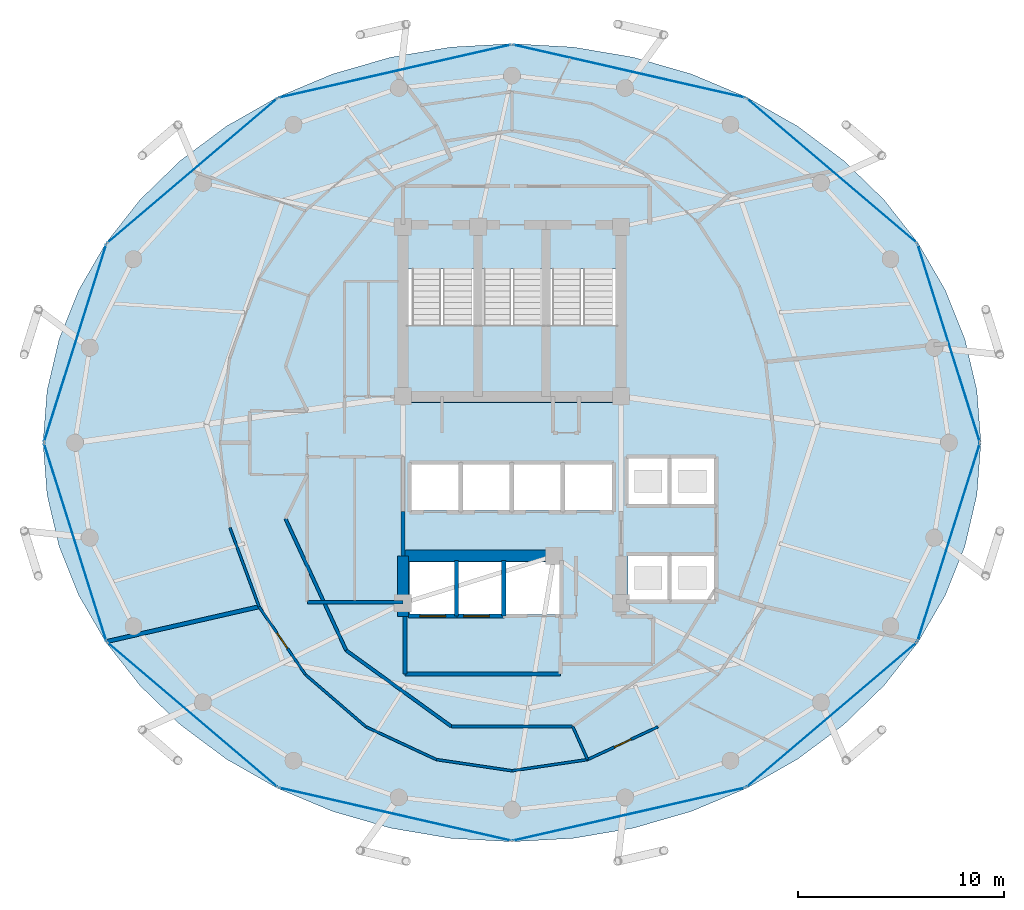
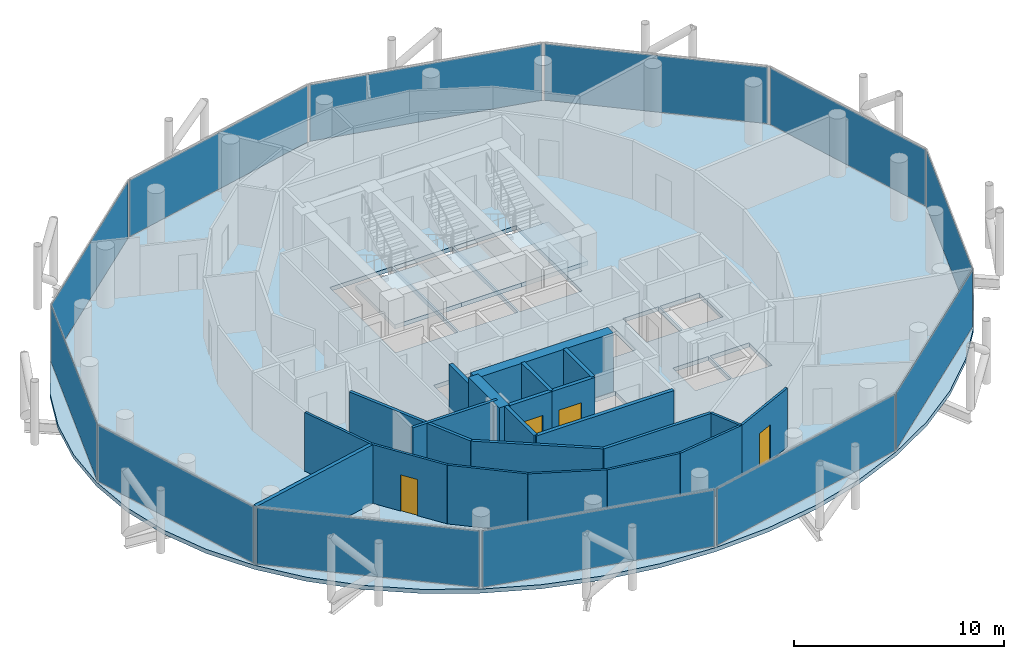
# One storey, part 22 of 27: 22 walls, 12 plates, 4 doors, 4 slabs, 4 openings, 15 elements without a shape of their own.
"""IFC4 building model written with IfcOpenShell, lengths in metres."""

from ifc_helpers import new_model, si_unit, direction, frame, frame_2d, origin, origin_2d, place, context, subcontext, project, spatial, polyline, rectangle, outline, extrude, material, layer, layer_set, type_object, element, fill, aggregate, save


model = new_model("IFC4")

# Units and contexts
model_context = context("Model", 3, precision=1e-05, world=origin(), true_north=direction((0.0, 1.0)))
body_context = subcontext(model_context, "Body", "Model", "MODEL_VIEW")
ifc_project = project(units=[si_unit("LENGTHUNIT", "METRE"), si_unit("AREAUNIT", "SQUARE_METRE"), si_unit("VOLUMEUNIT", "CUBIC_METRE"), si_unit("PLANEANGLEUNIT", "RADIAN"), si_unit("MASSUNIT", "GRAM", prefix="KILO")], contexts=[model_context])

# Site, building, storey
site_placement = place(None, origin())
site = spatial("IfcSite", under=ifc_project, at=site_placement, CompositionType="ELEMENT")
building_placement = place(site_placement, origin())
building = spatial("IfcBuilding", under=site, at=building_placement, Name="Nuhasar Tower", CompositionType="ELEMENT")
storey_placement = place(building_placement, frame((0.0, 0.0, 208.14990234375)))
storey = spatial("IfcBuildingStorey", under=building, at=storey_placement, Name="L50", CompositionType="ELEMENT", Elevation=208.14990234375)

# Curtain wall, plate
ifc_material_1 = material(Name="Aluminium 6063-T6", Category="aluminium")
ifc_layer_1 = layer(ifc_material_1, 0.18994140625)
ifc_layer_set_1 = layer_set([ifc_layer_1], Name="Aluminium 6063-T6")
curtain_wall_type = type_object("IfcCurtainWallType", Name="CW-Z3-RES", PredefinedType="NOTDEFINED", material=ifc_layer_set_1)
curtain_wall_1_placement = place(storey_placement, origin())
curtain_wall_1 = element("IfcCurtainWall", 1, at=curtain_wall_1_placement, inside=storey, type_object=curtain_wall_type, Name="L50 Unitised Curtain Wall 01", PredefinedType="NOTDEFINED")
ifc_material_2 = material(Name="Glass Double Low-E", Category="glass")
ifc_layer_2 = layer(ifc_material_2, 0.028076171875)
ifc_layer_set_2 = layer_set([ifc_layer_2], Name="Glass Double Low-E")
plate_type = type_object("IfcPlateType", Name="CW-PANEL-GLZ", PredefinedType="CURTAIN_PANEL", material=ifc_layer_set_2)
plate_1_placement = place(storey_placement, frame((60.235595703125, 31.639892578125, 0.06494140625), z_axis=(0.0, 0.0, 1.0), x_axis=(-0.30042864553, 0.95380429279, 0.0)))
plate_1 = element("IfcPlate", 2, at=plate_1_placement, type_object=plate_type, Name="CW-Z3 panel 1.1", PredefinedType="CURTAIN_PANEL", context=body_context, shape_type="SweptSolid", body=[
    extrude(rectangle(XDim=10.018798828125, YDim=0.028076171875, at=origin_2d()), origin(), (0.0, 0.0, 1.0), 3.280029296875),
])
aggregate(curtain_wall_1, [plate_1])

curtain_wall_2_placement = place(storey_placement, origin())
curtain_wall_2 = element("IfcCurtainWall", 3, at=curtain_wall_2_placement, inside=storey, type_object=curtain_wall_type, Name="L50 Unitised Curtain Wall 02", PredefinedType="NOTDEFINED")
plate_2_placement = place(storey_placement, frame((54.54541015625, 40.02294921875, 0.06494140625), z_axis=(0.0, 0.0, 1.0), x_axis=(-0.761729472562, 0.64789521578, 0.0)))
plate_2 = element("IfcPlate", 4, at=plate_2_placement, type_object=plate_type, Name="CW-Z3 panel 1.1", PredefinedType="CURTAIN_PANEL", context=body_context, shape_type="SweptSolid", body=[
    extrude(rectangle(XDim=10.806884765625, YDim=0.028076171875, at=origin_2d()), origin(), (0.0, 0.0, 1.0), 3.280029296875),
])
aggregate(curtain_wall_2, [plate_2])

curtain_wall_3_placement = place(storey_placement, origin())
curtain_wall_3 = element("IfcCurtainWall", 5, at=curtain_wall_3_placement, inside=storey, type_object=curtain_wall_type, Name="L50 Unitised Curtain Wall 03", PredefinedType="NOTDEFINED")
plate_3_placement = place(storey_placement, frame((44.68994140625, 44.863037109375, 0.06494140625), z_axis=(0.0, 0.0, 1.0), x_axis=(-0.974991266926, 0.222243176313, 0.0)))
plate_3 = element("IfcPlate", 6, at=plate_3_placement, type_object=plate_type, Name="CW-Z3 panel 1.1", PredefinedType="CURTAIN_PANEL", context=body_context, shape_type="SweptSolid", body=[
    extrude(rectangle(XDim=11.5419921875, YDim=0.028076171875, at=origin_2d()), origin(), (0.0, 0.0, 1.0), 3.280029296875),
])
aggregate(curtain_wall_3, [plate_3])

curtain_wall_4_placement = place(storey_placement, origin())
curtain_wall_4 = element("IfcCurtainWall", 7, at=curtain_wall_4_placement, inside=storey, type_object=curtain_wall_type, Name="L50 Unitised Curtain Wall 04", PredefinedType="NOTDEFINED")
plate_4_placement = place(storey_placement, frame((33.31005859375, 44.863037109375, 0.06494140625), z_axis=(0.0, 0.0, 1.0), x_axis=(-0.974991266926, -0.222243176313, 0.0)))
plate_4 = element("IfcPlate", 8, at=plate_4_placement, type_object=plate_type, Name="CW-Z3 panel 1.1", PredefinedType="CURTAIN_PANEL", context=body_context, shape_type="SweptSolid", body=[
    extrude(rectangle(XDim=11.5419921875, YDim=0.028076171875, at=origin_2d()), origin(), (0.0, 0.0, 1.0), 3.280029296875),
])
aggregate(curtain_wall_4, [plate_4])

curtain_wall_5_placement = place(storey_placement, origin())
curtain_wall_5 = element("IfcCurtainWall", 9, at=curtain_wall_5_placement, inside=storey, type_object=curtain_wall_type, Name="L50 Unitised Curtain Wall 05", PredefinedType="NOTDEFINED")
plate_5_placement = place(storey_placement, frame((23.45458984375, 40.02294921875, 0.06494140625), z_axis=(0.0, 0.0, 1.0), x_axis=(-0.761729472562, -0.64789521578, 0.0)))
plate_5 = element("IfcPlate", 10, at=plate_5_placement, type_object=plate_type, Name="CW-Z3 panel 1.1", PredefinedType="CURTAIN_PANEL", context=body_context, shape_type="SweptSolid", body=[
    extrude(rectangle(XDim=10.806884765625, YDim=0.028076171875, at=origin_2d()), origin(), (0.0, 0.0, 1.0), 3.280029296875),
])
aggregate(curtain_wall_5, [plate_5])

curtain_wall_6_placement = place(storey_placement, origin())
curtain_wall_6 = element("IfcCurtainWall", 11, at=curtain_wall_6_placement, inside=storey, type_object=curtain_wall_type, Name="L50 Unitised Curtain Wall 06", PredefinedType="NOTDEFINED")
plate_6_placement = place(storey_placement, frame((17.764404296875, 31.639892578125, 0.06494140625), z_axis=(0.0, 0.0, 1.0), x_axis=(-0.30042864553, -0.95380429279, 0.0)))
plate_6 = element("IfcPlate", 12, at=plate_6_placement, type_object=plate_type, Name="CW-Z3 panel 1.1", PredefinedType="CURTAIN_PANEL", context=body_context, shape_type="SweptSolid", body=[
    extrude(rectangle(XDim=10.018798828125, YDim=0.028076171875, at=origin_2d()), origin(), (0.0, 0.0, 1.0), 3.280029296875),
])
aggregate(curtain_wall_6, [plate_6])

curtain_wall_7_placement = place(storey_placement, origin())
curtain_wall_7 = element("IfcCurtainWall", 13, at=curtain_wall_7_placement, inside=storey, type_object=curtain_wall_type, Name="L50 Unitised Curtain Wall 07", PredefinedType="NOTDEFINED")
plate_7_placement = place(storey_placement, frame((17.764404296875, 21.9599609375, 0.06494140625), z_axis=(0.0, 0.0, 1.0), x_axis=(0.30042864553, -0.95380429279, 0.0)))
plate_7 = element("IfcPlate", 14, at=plate_7_placement, type_object=plate_type, Name="CW-Z3 panel 1.1", PredefinedType="CURTAIN_PANEL", context=body_context, shape_type="SweptSolid", body=[
    extrude(rectangle(XDim=10.018798828125, YDim=0.028076171875, at=origin_2d()), origin(), (0.0, 0.0, 1.0), 3.280029296875),
])
aggregate(curtain_wall_7, [plate_7])

curtain_wall_8_placement = place(storey_placement, origin())
curtain_wall_8 = element("IfcCurtainWall", 15, at=curtain_wall_8_placement, inside=storey, type_object=curtain_wall_type, Name="L50 Unitised Curtain Wall 08", PredefinedType="NOTDEFINED")
plate_8_placement = place(storey_placement, frame((23.45458984375, 13.576904296875, 0.06494140625), z_axis=(0.0, 0.0, 1.0), x_axis=(0.761729472562, -0.64789521578, 0.0)))
plate_8 = element("IfcPlate", 16, at=plate_8_placement, type_object=plate_type, Name="CW-Z3 panel 1.1", PredefinedType="CURTAIN_PANEL", context=body_context, shape_type="SweptSolid", body=[
    extrude(rectangle(XDim=10.806884765625, YDim=0.028076171875, at=origin_2d()), origin(), (0.0, 0.0, 1.0), 3.280029296875),
])
aggregate(curtain_wall_8, [plate_8])

curtain_wall_9_placement = place(storey_placement, origin())
curtain_wall_9 = element("IfcCurtainWall", 17, at=curtain_wall_9_placement, inside=storey, type_object=curtain_wall_type, Name="L50 Unitised Curtain Wall 09", PredefinedType="NOTDEFINED")
plate_9_placement = place(storey_placement, frame((33.31005859375, 8.737060546875, 0.06494140625), z_axis=(0.0, 0.0, 1.0), x_axis=(0.974991266926, -0.222243176313, 0.0)))
plate_9 = element("IfcPlate", 18, at=plate_9_placement, type_object=plate_type, Name="CW-Z3 panel 1.1", PredefinedType="CURTAIN_PANEL", context=body_context, shape_type="SweptSolid", body=[
    extrude(rectangle(XDim=11.5419921875, YDim=0.028076171875, at=origin_2d()), origin(), (0.0, 0.0, 1.0), 3.280029296875),
])
aggregate(curtain_wall_9, [plate_9])

curtain_wall_10_placement = place(storey_placement, origin())
curtain_wall_10 = element("IfcCurtainWall", 19, at=curtain_wall_10_placement, inside=storey, type_object=curtain_wall_type, Name="L50 Unitised Curtain Wall 10", PredefinedType="NOTDEFINED")
plate_10_placement = place(storey_placement, frame((44.68994140625, 8.737060546875, 0.06494140625), z_axis=(0.0, 0.0, 1.0), x_axis=(0.974991266926, 0.222243176313, 0.0)))
plate_10 = element("IfcPlate", 20, at=plate_10_placement, type_object=plate_type, Name="CW-Z3 panel 1.1", PredefinedType="CURTAIN_PANEL", context=body_context, shape_type="SweptSolid", body=[
    extrude(rectangle(XDim=11.5419921875, YDim=0.028076171875, at=origin_2d()), origin(), (0.0, 0.0, 1.0), 3.280029296875),
])
aggregate(curtain_wall_10, [plate_10])

curtain_wall_11_placement = place(storey_placement, origin())
curtain_wall_11 = element("IfcCurtainWall", 21, at=curtain_wall_11_placement, inside=storey, type_object=curtain_wall_type, Name="L50 Unitised Curtain Wall 11", PredefinedType="NOTDEFINED")
plate_11_placement = place(storey_placement, frame((54.54541015625, 13.576904296875, 0.06494140625), z_axis=(0.0, 0.0, 1.0), x_axis=(0.761729472562, 0.64789521578, 0.0)))
plate_11 = element("IfcPlate", 22, at=plate_11_placement, type_object=plate_type, Name="CW-Z3 panel 1.1", PredefinedType="CURTAIN_PANEL", context=body_context, shape_type="SweptSolid", body=[
    extrude(rectangle(XDim=10.806884765625, YDim=0.028076171875, at=origin_2d()), origin(), (0.0, 0.0, 1.0), 3.280029296875),
])
aggregate(curtain_wall_11, [plate_11])

curtain_wall_12_placement = place(storey_placement, origin())
curtain_wall_12 = element("IfcCurtainWall", 23, at=curtain_wall_12_placement, inside=storey, type_object=curtain_wall_type, Name="L50 Unitised Curtain Wall 12", PredefinedType="NOTDEFINED")
plate_12_placement = place(storey_placement, frame((60.235595703125, 21.9599609375, 0.06494140625), z_axis=(0.0, 0.0, 1.0), x_axis=(0.30042864553, 0.95380429279, 0.0)))
plate_12 = element("IfcPlate", 24, at=plate_12_placement, type_object=plate_type, Name="CW-Z3 panel 1.1", PredefinedType="CURTAIN_PANEL", context=body_context, shape_type="SweptSolid", body=[
    extrude(rectangle(XDim=10.018798828125, YDim=0.028076171875, at=origin_2d()), origin(), (0.0, 0.0, 1.0), 3.280029296875),
])
aggregate(curtain_wall_12, [plate_12])

# Stair, slab
ifc_material_3 = material(Name="Concrete C45/55", Category="concrete")
stair_type_1 = type_object("IfcStairType", Name="STR-ST-01-2F-22R-1659", PredefinedType="HALF_TURN_STAIR", material=ifc_material_3)
stair_1_placement = place(storey_placement, origin())
stair_1 = element("IfcStair", 25, at=stair_1_placement, inside=storey, type_object=stair_type_1, Name="L50 Exit Stair ST-01", PredefinedType="HALF_TURN_STAIR")
ifc_layer_3 = layer(ifc_material_3, 0.239990234375)
ifc_layer_set_3 = layer_set([ifc_layer_3], Name="Concrete C45/55")
slab_type_1 = type_object("IfcSlabType", Name="SLB-STAIR-LND-240", PredefinedType="LANDING", material=ifc_layer_set_3)
slab_1_placement = place(storey_placement, frame((0.0, 0.0, 1.585205078125)))
slab_1 = element("IfcSlab", 26, at=slab_1_placement, type_object=slab_type_1, Name="ST-01 landing 1", PredefinedType="LANDING", context=body_context, shape_type="SweptSolid", body=[
    extrude(outline(polyline([(33.699951171875, 28.75), (37.35009765625, 28.75), (37.35009765625, 32.52001953125), (33.699951171875, 32.52001953125), (33.699951171875, 28.75)])), origin(), (0.0, 0.0, 1.0), 0.239990234375),
])
aggregate(stair_1, [slab_1])

stair_type_2 = type_object("IfcStairType", Name="STR-ST-03-2F-22R-1659", PredefinedType="HALF_TURN_STAIR", material=ifc_material_3)
stair_2_placement = place(storey_placement, origin())
stair_2 = element("IfcStair", 27, at=stair_2_placement, inside=storey, type_object=stair_type_2, Name="L50 Exit Stair ST-03", PredefinedType="HALF_TURN_STAIR")
slab_2_placement = place(storey_placement, frame((0.0, 0.0, 1.585205078125)))
slab_2 = element("IfcSlab", 28, at=slab_2_placement, type_object=slab_type_1, Name="ST-03 landing 1", PredefinedType="LANDING", context=body_context, shape_type="SweptSolid", body=[
    extrude(outline(polyline([(37.35009765625, 28.75), (40.64990234375, 28.75), (40.64990234375, 32.52001953125), (37.35009765625, 32.52001953125), (37.35009765625, 28.75)])), origin(), (0.0, 0.0, 1.0), 0.239990234375),
])
aggregate(stair_2, [slab_2])

stair_type_3 = type_object("IfcStairType", Name="STR-ST-02-2F-22R-1659", PredefinedType="HALF_TURN_STAIR", material=ifc_material_3)
stair_3_placement = place(storey_placement, origin())
stair_3 = element("IfcStair", 29, at=stair_3_placement, inside=storey, type_object=stair_type_3, Name="L50 Exit Stair ST-02", PredefinedType="HALF_TURN_STAIR")
slab_3_placement = place(storey_placement, frame((0.0, 0.0, 1.585205078125)))
slab_3 = element("IfcSlab", 30, at=slab_3_placement, type_object=slab_type_1, Name="ST-02 landing 1", PredefinedType="LANDING", context=body_context, shape_type="SweptSolid", body=[
    extrude(outline(polyline([(40.64990234375, 28.75), (44.300048828125, 28.75), (44.300048828125, 32.52001953125), (40.64990234375, 32.52001953125), (40.64990234375, 28.75)])), origin(), (0.0, 0.0, 1.0), 0.239990234375),
])
aggregate(stair_3, [slab_3])

# Slab
ifc_layer_4 = layer(ifc_material_3, 0.239990234375)
ifc_layer_set_4 = layer_set([ifc_layer_4], Name="Concrete C45/55")
slab_type_2 = type_object("IfcSlabType", Name="SLB-Z3-240", PredefinedType="FLOOR", material=ifc_layer_set_4)
slab_4_placement = place(storey_placement, frame((0.0, 0.0, -0.239990234375)))
element("IfcSlab", 31, at=slab_4_placement, inside=storey, type_object=slab_type_2, Name="L50 Structural Slab", PredefinedType="FLOOR", context=body_context, shape_type="SweptSolid", body=[
    extrude(outline(polyline([(61.800048828125, 26.800048828125), (61.60498046875, 29.33203125), (61.02294921875, 31.821044921875), (60.06396484375, 34.22412109375), (58.7451171875, 36.5), (57.087890625, 38.610107421875), (55.1220703125, 40.51806640625), (52.8798828125, 42.19091796875), (50.39990234375, 43.60107421875), (47.72509765625, 44.722900390625), (44.90087890625, 45.5390625), (41.97607421875, 46.033935546875), (39.0, 46.199951171875), (36.02392578125, 46.033935546875), (33.09912109375, 45.5390625), (30.27490234375, 44.722900390625), (27.60009765625, 43.60107421875), (25.1201171875, 42.19091796875), (22.8779296875, 40.51806640625), (20.912109375, 38.610107421875), (19.2548828125, 36.5), (17.93603515625, 34.22412109375), (16.97705078125, 31.821044921875), (16.39501953125, 29.33203125), (16.199951171875, 26.800048828125), (16.39501953125, 24.26806640625), (16.97705078125, 21.779052734375), (17.93603515625, 19.3759765625), (19.2548828125, 17.10009765625), (20.912109375, 14.989990234375), (22.8779296875, 13.08203125), (25.1201171875, 11.408935546875), (27.60009765625, 9.9990234375), (30.27490234375, 8.876953125), (33.09912109375, 8.06103515625), (36.02392578125, 7.56591796875), (39.0, 7.39990234375), (41.97607421875, 7.56591796875), (44.90087890625, 8.06103515625), (47.72509765625, 8.876953125), (50.39990234375, 9.9990234375), (52.8798828125, 11.408935546875), (55.1220703125, 13.08203125), (57.087890625, 14.989990234375), (58.7451171875, 17.10009765625), (60.06396484375, 19.3759765625), (61.02294921875, 21.779052734375), (61.60498046875, 24.26806640625), (61.800048828125, 26.800048828125)]), holes=[polyline([(33.8798828125, 35.25), (37.300048828125, 35.25), (37.300048828125, 29.0), (33.8798828125, 29.0), (33.8798828125, 35.25)]), polyline([(37.39990234375, 35.25), (40.60009765625, 35.25), (40.60009765625, 29.0), (37.39990234375, 29.0), (37.39990234375, 35.25)]), polyline([(40.699951171875, 35.25), (44.1201171875, 35.25), (44.1201171875, 29.0), (40.699951171875, 29.0), (40.699951171875, 35.25)]), polyline([(44.64990234375, 26.050048828125), (46.60009765625, 26.050048828125), (46.60009765625, 23.800048828125), (44.64990234375, 23.800048828125), (44.64990234375, 26.050048828125)]), polyline([(46.699951171875, 26.050048828125), (48.85009765625, 26.050048828125), (48.85009765625, 23.800048828125), (46.699951171875, 23.800048828125), (46.699951171875, 26.050048828125)]), polyline([(44.64990234375, 21.300048828125), (46.60009765625, 21.300048828125), (46.60009765625, 19.14990234375), (44.64990234375, 19.14990234375), (44.64990234375, 21.300048828125)]), polyline([(46.699951171875, 21.300048828125), (48.85009765625, 21.300048828125), (48.85009765625, 19.14990234375), (46.699951171875, 19.14990234375), (46.699951171875, 21.300048828125)]), polyline([(34.10009765625, 25.75), (36.43994140625, 25.75), (36.43994140625, 23.5), (34.10009765625, 23.5), (34.10009765625, 25.75)]), polyline([(36.580078125, 25.75), (38.919921875, 25.75), (38.919921875, 23.5), (36.580078125, 23.5), (36.580078125, 25.75)]), polyline([(39.06005859375, 25.75), (41.39990234375, 25.75), (41.39990234375, 23.5), (39.06005859375, 23.5), (39.06005859375, 25.75)]), polyline([(41.5400390625, 25.75), (43.8798828125, 25.75), (43.8798828125, 23.5), (41.5400390625, 23.5), (41.5400390625, 25.75)]), polyline([(34.050048828125, 21.0), (36.25, 21.0), (36.25, 18.449951171875), (34.050048828125, 18.449951171875), (34.050048828125, 21.0)]), polyline([(36.35009765625, 21.0), (38.550048828125, 21.0), (38.550048828125, 18.449951171875), (36.35009765625, 18.449951171875), (36.35009765625, 21.0)]), polyline([(38.64990234375, 21.0), (41.320068359375, 21.0), (41.320068359375, 18.449951171875), (38.64990234375, 18.449951171875), (38.64990234375, 21.0)])]), origin(), (0.0, 0.0, 1.0), 0.239990234375),
])

# Walls
ifc_material_4 = material(Name="Concrete C55/67", Category="concrete")
ifc_layer_5 = layer(ifc_material_4, 0.550048828125)
ifc_layer_set_5 = layer_set([ifc_layer_5], Name="Concrete C55/67")
wall_type_1 = type_object("IfcWallType", Name="WL-CORE-550", PredefinedType="SHEAR", material=ifc_layer_set_5)
wall_1_placement = place(storey_placement, frame((33.699951171875, 18.35009765625, 0.0), z_axis=(0.0, 0.0, 1.0), x_axis=(0.0, 1.0, 0.0)))
element("IfcWall", 32, at=wall_1_placement, inside=storey, type_object=wall_type_1, Name="L50 Core Shear Wall CW-SW CW-550", PredefinedType="SHEAR", context=body_context, shape_type="SweptSolid", body=[
    extrude(rectangle(XDim=2.949951171875, YDim=0.550048828125, at=frame_2d((1.47509765625, 0.0))), origin(), (0.0, 0.0, 1.0), 3.41015625),
])
wall_2_placement = place(storey_placement, frame((33.699951171875, 21.300048828125, 0.0), z_axis=(0.0, 0.0, 1.0), x_axis=(1.0, 0.0, 0.0)))
element("IfcWall", 33, at=wall_2_placement, inside=storey, type_object=wall_type_1, Name="L50 Core Shear Wall CW-S1 CW-550", PredefinedType="SHEAR", context=body_context, shape_type="SweptSolid", body=[
    extrude(rectangle(XDim=7.550048828125, YDim=0.550048828125, at=frame_2d((3.77490234375, 0.0))), origin(), (0.0, 0.0, 1.0), 3.41015625),
])
ifc_material_5 = material(Name="Gypsum Board", Category="gypsum")
ifc_layer_6 = layer(ifc_material_5, 0.159912109375)
ifc_layer_set_6 = layer_set([ifc_layer_6], Name="Gypsum Board")
wall_type_2 = type_object("IfcWallType", Name="WL-CORR-160", PredefinedType="PARTITIONING", material=ifc_layer_set_6)
wall_3_placement = place(storey_placement, frame((29.050048828125, 19.050048828125, 0.0), z_axis=(0.0, 0.0, 1.0), x_axis=(1.0, 0.0, 0.0)))
element("IfcWall", 34, at=wall_3_placement, inside=storey, type_object=wall_type_2, Name="L50 Interior Partition RECL-B1-S", PredefinedType="PARTITIONING", context=body_context, shape_type="SweptSolid", body=[
    extrude(rectangle(XDim=4.64990234375, YDim=0.159912109375, at=frame_2d((2.324951171875, 0.0))), origin(), (0.0, 0.0, 1.0), 3.41015625),
])
wall_4_placement = place(storey_placement, frame((27.988037109375, 23.10400390625, 0.0), z_axis=(0.0, 0.0, 1.0), x_axis=(0.418656179426, -0.908144814128, 0.0)))
element("IfcWall", 35, at=wall_4_placement, inside=storey, type_object=wall_type_2, Name="L50 Interior Partition UWEST-CORE-S1-26", PredefinedType="PARTITIONING", context=body_context, shape_type="SweptSolid", body=[
    extrude(rectangle(XDim=7.048583984375, YDim=0.159912109375, at=frame_2d((3.5244140625, 0.0))), origin(), (0.0, 0.0, 1.0), 3.41015625),
])
wall_5_placement = place(storey_placement, frame((30.93896484375, 16.702880859375, 0.0), z_axis=(0.0, 0.0, 1.0), x_axis=(0.810290119061, -0.586028943784, 0.0)))
element("IfcWall", 36, at=wall_5_placement, inside=storey, type_object=wall_type_2, Name="L50 Interior Partition UWEST-CORE-S1-30", PredefinedType="PARTITIONING", context=body_context, shape_type="SweptSolid", body=[
    extrude(rectangle(XDim=6.306396484375, YDim=0.159912109375, at=frame_2d((3.1533203125, 0.0))), origin(), (0.0, 0.0, 1.0), 3.41015625),
])
wall_6_placement = place(storey_placement, frame((36.049072265625, 13.007080078125, 0.0), z_axis=(0.0, 0.0, 1.0), x_axis=(1.0, 0.0, 0.0)))
element("IfcWall", 37, at=wall_6_placement, inside=storey, type_object=wall_type_2, Name="L50 Interior Partition UWEST-CORE-S1-34", PredefinedType="PARTITIONING", context=body_context, shape_type="SweptSolid", body=[
    extrude(rectangle(XDim=5.90185546875, YDim=0.159912109375, at=frame_2d((2.950927734375, 0.0))), origin(), (0.0, 0.0, 1.0), 3.41015625),
])
ifc_layer_7 = layer(ifc_material_3, 0.199951171875)
ifc_layer_set_7 = layer_set([ifc_layer_7], Name="Concrete C45/55")
wall_type_3 = type_object("IfcWallType", Name="WL-LOBBY-200", PredefinedType="SOLIDWALL", material=ifc_layer_set_7)
wall_7_placement = place(storey_placement, frame((33.699951171875, 21.300048828125, 0.0), z_axis=(0.0, 0.0, 1.0), x_axis=(0.0, 1.0, 0.0)))
element("IfcWall", 38, at=wall_7_placement, inside=storey, type_object=wall_type_3, Name="L50 Interior Partition LLBH-W", PredefinedType="SOLIDWALL", context=body_context, shape_type="SweptSolid", body=[
    extrude(rectangle(XDim=2.14990234375, YDim=0.199951171875, at=frame_2d((1.074951171875, 0.0))), origin(), (0.0, 0.0, 1.0), 2.795166015625),
])
wall_8_placement = place(storey_placement, frame((33.800048828125, 15.550048828125, 0.0), z_axis=(0.0, 0.0, 1.0), x_axis=(1.0, 0.0, 0.0)))
element("IfcWall", 39, at=wall_8_placement, inside=storey, type_object=wall_type_3, Name="L50 Interior Partition FFL-S", PredefinedType="SOLIDWALL", context=body_context, shape_type="SweptSolid", body=[
    extrude(rectangle(XDim=7.550048828125, YDim=0.199951171875, at=frame_2d((3.77490234375, 0.0))), origin(), (0.0, 0.0, 1.0), 3.41015625),
])
wall_9_placement = place(storey_placement, frame((33.800048828125, 15.550048828125, 0.0), z_axis=(0.0, 0.0, 1.0), x_axis=(0.0, 1.0, 0.0)))
element("IfcWall", 40, at=wall_9_placement, inside=storey, type_object=wall_type_3, Name="L50 Interior Partition FFL-W", PredefinedType="SOLIDWALL", context=body_context, shape_type="SweptSolid", body=[
    extrude(rectangle(XDim=2.800048828125, YDim=0.199951171875, at=frame_2d((1.39990234375, 0.0))), origin(), (0.0, 0.0, 1.0), 3.41015625),
])
ifc_layer_8 = layer(ifc_material_5, 0.125)
ifc_layer_set_8 = layer_set([ifc_layer_8], Name="Gypsum Board")
wall_type_4 = type_object("IfcWallType", Name="WL-PART-125", PredefinedType="PARTITIONING", material=ifc_layer_set_8)
wall_10_placement = place(storey_placement, frame((25.283935546875, 22.672119140625, 0.0), z_axis=(0.0, 0.0, 1.0), x_axis=(0.345832286314, -0.938296344308, 0.0)))
element("IfcWall", 41, at=wall_10_placement, inside=storey, type_object=wall_type_4, Name="L50 Interior Partition USM-1-D-26", PredefinedType="PARTITIONING", context=body_context, shape_type="SweptSolid", body=[
    extrude(rectangle(XDim=4.10009765625, YDim=0.125, at=frame_2d((2.050048828125, 0.0))), origin(), (0.0, 0.0, 1.0), 3.41015625),
])

# Wall, opening, door
wall_11_placement = place(storey_placement, frame((46.10009765625, 12.987060546875, 0.0), z_axis=(0.0, 0.0, 1.0), x_axis=(-0.906625113427, -0.421937085007, 0.0)))
wall_11 = element("IfcWall", 42, at=wall_11_placement, inside=storey, type_object=wall_type_4, Name="L50 Interior Partition USM-2-K-38", PredefinedType="PARTITIONING", context=body_context, shape_type="SweptSolid", body=[
    extrude(rectangle(XDim=3.77783203125, YDim=0.125, at=frame_2d((1.888916015625, 0.0))), origin(), (0.0, 0.0, 1.0), 3.41015625),
])
opening_1_placement = place(wall_11_placement, frame((1.43896484375, 0.0, 0.0)))
opening_1 = element("IfcOpeningElement", 43, at=opening_1_placement, cuts=wall_11, Name="Opening DR-01", PredefinedType="OPENING", context=body_context, shape_type="SweptSolid", body=[
    extrude(rectangle(XDim=0.89990234375, YDim=2.10009765625, at=frame_2d((0.449951171875, 1.050048828125))), frame((0.0, 0.072509765625, 0.0), z_axis=(0.0, -1.0, 0.0), x_axis=(1.0, 0.0, 0.0)), (0.0, 0.0, 1.0), 0.14501953125),
])
ifc_material_6 = material(Name="Timber Oak", Category="wood")
door_type_1 = type_object("IfcDoorType", Name="DR-ROOM-900", OperationType="NOTDEFINED", PredefinedType="DOOR", material=ifc_material_6)
door_1_placement = place(opening_1_placement, origin())
door_1 = element("IfcDoor", 44, at=door_1_placement, inside=storey, type_object=door_type_1, Name="L50 South-West Sky Home Kitchen Door", OperationType="SINGLE_SWING_LEFT", OverallHeight=2.10009765625, OverallWidth=0.89990234375, PredefinedType="DOOR", context=body_context, shape_type="SweptSolid", body=[
    extrude(rectangle(XDim=0.89990234375, YDim=2.10009765625, at=frame_2d((0.449951171875, 1.050048828125))), frame((0.0, 0.02490234375, 0.0), z_axis=(0.0, -1.0, 0.0), x_axis=(1.0, 0.0, 0.0)), (0.0, 0.0, 1.0), 0.050048828125),
])
fill(opening_1, door_1)

# Wall
wall_12_placement = place(storey_placement, frame((41.950927734375, 13.007080078125, 0.0), z_axis=(0.0, 0.0, 1.0), x_axis=(0.409337233456, -0.912383159263, 0.0)))
element("IfcWall", 45, at=wall_12_placement, inside=storey, type_object=wall_type_4, Name="L50 Interior Partition USI-2-DK", PredefinedType="PARTITIONING", context=body_context, shape_type="SweptSolid", body=[
    extrude(rectangle(XDim=1.76904296875, YDim=0.125, at=frame_2d((0.884521484375, 0.0))), origin(), (0.0, 0.0, 1.0), 3.41015625),
])

# Wall, opening, door
wall_13_placement = place(storey_placement, frame((28.958984375, 15.52197265625, 0.0), z_axis=(0.0, 0.0, 1.0), x_axis=(-0.56419813198, 0.825639429697, 0.0)))
wall_13 = element("IfcWall", 46, at=wall_13_placement, inside=storey, type_object=wall_type_4, Name="L50 Interior Partition USM-2-D-28", PredefinedType="PARTITIONING", context=body_context, shape_type="SweptSolid", body=[
    extrude(rectangle(XDim=4.00048828125, YDim=0.125, at=frame_2d((2.000244140625, 0.0))), origin(), (0.0, 0.0, 1.0), 3.41015625),
])
opening_2_placement = place(wall_13_placement, frame((1.550048828125, 0.0, 0.0)))
opening_2 = element("IfcOpeningElement", 47, at=opening_2_placement, cuts=wall_13, Name="Opening DR-01", PredefinedType="OPENING", context=body_context, shape_type="SweptSolid", body=[
    extrude(rectangle(XDim=0.89990234375, YDim=2.10009765625, at=frame_2d((0.449951171875, 1.050048828125))), frame((0.0, 0.072509765625, 0.0), z_axis=(0.0, -1.0, 0.0), x_axis=(1.0, 0.0, 0.0)), (0.0, 0.0, 1.0), 0.14501953125),
])
door_2_placement = place(opening_2_placement, origin())
door_2 = element("IfcDoor", 48, at=door_2_placement, inside=storey, type_object=door_type_1, Name="L50 South-West Sky Home Living Door", OperationType="SINGLE_SWING_RIGHT", OverallHeight=2.10009765625, OverallWidth=0.89990234375, PredefinedType="DOOR", context=body_context, shape_type="SweptSolid", body=[
    extrude(rectangle(XDim=0.89990234375, YDim=2.10009765625, at=frame_2d((0.449951171875, 1.050048828125))), frame((0.0, 0.02490234375, 0.0), z_axis=(0.0, -1.0, 0.0), x_axis=(1.0, 0.0, 0.0)), (0.0, 0.0, 1.0), 0.050048828125),
])
fill(opening_2, door_2)

# Walls
wall_14_placement = place(storey_placement, frame((28.958984375, 15.52197265625, 0.0), z_axis=(0.0, 0.0, 1.0), x_axis=(0.757456069071, -0.652886133585, 0.0)))
element("IfcWall", 49, at=wall_14_placement, inside=storey, type_object=wall_type_4, Name="L50 Interior Partition USM-2-D-30", PredefinedType="PARTITIONING", context=body_context, shape_type="SweptSolid", body=[
    extrude(rectangle(XDim=3.882568359375, YDim=0.125, at=frame_2d((1.94140625, 0.0))), origin(), (0.0, 0.0, 1.0), 3.41015625),
])
wall_15_placement = place(storey_placement, frame((31.89990234375, 12.987060546875, 0.0), z_axis=(0.0, 0.0, 1.0), x_axis=(0.906625113427, -0.421937085007, 0.0)))
element("IfcWall", 50, at=wall_15_placement, inside=storey, type_object=wall_type_4, Name="L50 Interior Partition USM-2-D-32", PredefinedType="PARTITIONING", context=body_context, shape_type="SweptSolid", body=[
    extrude(rectangle(XDim=3.77783203125, YDim=0.125, at=frame_2d((1.888916015625, 0.0))), origin(), (0.0, 0.0, 1.0), 3.41015625),
])
for number, where, z_axis, x_axis, name in (
    (51, (35.324951171875, 11.39306640625, 0.0), (0.0, 0.0, 1.0), (0.989261252839, -0.146158043334, 0.0), "L50 Interior Partition USM-2-D-34"),
    (52, (39.0, 10.85009765625, 0.0), (0.0, 0.0, 1.0), (0.989261252839, 0.146158043334, 0.0), "L50 Interior Partition USM-2-D-36"),
):
    element("IfcWall", number, at=place(storey_placement, frame(where, z_axis=z_axis, x_axis=x_axis)), inside=storey, type_object=wall_type_4, Name=name, PredefinedType="PARTITIONING", context=body_context, shape_type="SweptSolid", body=[
        extrude(rectangle(XDim=3.71484375, YDim=0.125, at=frame_2d((1.857421875, 0.0))), origin(), (0.0, 0.0, 1.0), 3.41015625),
    ])

# Wall, opening, door
ifc_layer_9 = layer(ifc_material_3, 0.199951171875)
ifc_layer_set_9 = layer_set([ifc_layer_9], Name="Concrete C45/55")
wall_type_5 = type_object("IfcWallType", Name="WL-SHAFT-200", PredefinedType="SOLIDWALL", material=ifc_layer_set_9)
wall_16_placement = place(storey_placement, frame((33.969970703125, 18.3701171875, 0.0), z_axis=(0.0, 0.0, 1.0), x_axis=(1.0, 0.0, 0.0)))
wall_16 = element("IfcWall", 53, at=wall_16_placement, inside=storey, type_object=wall_type_5, Name="L50 Interior Partition SHF-FFL-01-S", PredefinedType="SOLIDWALL", context=body_context, shape_type="SweptSolid", body=[
    extrude(rectangle(XDim=2.360107421875, YDim=0.199951171875, at=frame_2d((1.18017578125, 0.0))), origin(), (0.0, 0.0, 1.0), 3.41015625),
])
opening_3_placement = place(wall_16_placement, frame((0.554931640625, 0.0, 0.0)))
opening_3 = element("IfcOpeningElement", 54, at=opening_3_placement, cuts=wall_16, Name="Opening LD-F01", PredefinedType="OPENING", context=body_context, shape_type="SweptSolid", body=[
    extrude(rectangle(XDim=1.25, YDim=2.199951171875, at=frame_2d((0.625, 1.10009765625))), frame((0.0, 0.10986328125, 0.0), z_axis=(0.0, -1.0, 0.0), x_axis=(1.0, 0.0, 0.0)), (0.0, 0.0, 1.0), 0.219970703125),
])
ifc_material_7 = material(Name="Stainless Steel 316L", Category="steel")
door_type_2 = type_object("IfcDoorType", Name="LD-FFL-1250", OperationType="DOUBLE_DOOR_SLIDING", PredefinedType="DOOR", material=ifc_material_7)
door_3_placement = place(opening_3_placement, origin())
door_3 = element("IfcDoor", 55, at=door_3_placement, inside=storey, type_object=door_type_2, Name="L50 Lift Landing Door FFL-01", OperationType="DOUBLE_DOOR_SLIDING", OverallHeight=2.199951171875, OverallWidth=1.25, PredefinedType="DOOR", context=body_context, shape_type="SweptSolid", body=[
    extrude(rectangle(XDim=1.25, YDim=2.199951171875, at=frame_2d((0.625, 1.10009765625))), frame((0.0, 0.02490234375, 0.0), z_axis=(0.0, -1.0, 0.0), x_axis=(1.0, 0.0, 0.0)), (0.0, 0.0, 1.0), 0.050048828125),
])
fill(opening_3, door_3)

# Wall
wall_17_placement = place(storey_placement, frame((36.300048828125, 18.3701171875, 0.0), z_axis=(0.0, 0.0, 1.0), x_axis=(0.0, 1.0, 0.0)))
element("IfcWall", 56, at=wall_17_placement, inside=storey, type_object=wall_type_5, Name="L50 Interior Partition SHF-FFL-01-E", PredefinedType="SOLIDWALL", context=body_context, shape_type="SweptSolid", body=[
    extrude(rectangle(XDim=2.7099609375, YDim=0.199951171875, at=frame_2d((1.35498046875, 0.0))), origin(), (0.0, 0.0, 1.0), 3.41015625),
])

# Wall, opening, door
wall_18_placement = place(storey_placement, frame((36.27001953125, 18.3701171875, 0.0), z_axis=(0.0, 0.0, 1.0), x_axis=(1.0, 0.0, 0.0)))
wall_18 = element("IfcWall", 57, at=wall_18_placement, inside=storey, type_object=wall_type_5, Name="L50 Interior Partition SHF-FFL-02-S", PredefinedType="SOLIDWALL", context=body_context, shape_type="SweptSolid", body=[
    extrude(rectangle(XDim=2.35986328125, YDim=0.199951171875, at=frame_2d((1.179931640625, 0.0))), origin(), (0.0, 0.0, 1.0), 3.41015625),
])
opening_4_placement = place(wall_18_placement, frame((0.3798828125, 0.0, 0.0)))
opening_4 = element("IfcOpeningElement", 58, at=opening_4_placement, cuts=wall_18, Name="Opening LD-F02", PredefinedType="OPENING", context=body_context, shape_type="SweptSolid", body=[
    extrude(rectangle(XDim=1.25, YDim=2.199951171875, at=frame_2d((0.625, 1.10009765625))), frame((0.0, 0.10986328125, 0.0), z_axis=(0.0, -1.0, 0.0), x_axis=(1.0, 0.0, 0.0)), (0.0, 0.0, 1.0), 0.219970703125),
])
door_4_placement = place(opening_4_placement, origin())
door_4 = element("IfcDoor", 59, at=door_4_placement, inside=storey, type_object=door_type_2, Name="L50 Lift Landing Door FFL-02", OperationType="DOUBLE_DOOR_SLIDING", OverallHeight=2.199951171875, OverallWidth=1.25, PredefinedType="DOOR", context=body_context, shape_type="SweptSolid", body=[
    extrude(rectangle(XDim=1.25, YDim=2.199951171875, at=frame_2d((0.625, 1.10009765625))), frame((0.0, 0.02490234375, 0.0), z_axis=(0.0, -1.0, 0.0), x_axis=(1.0, 0.0, 0.0)), (0.0, 0.0, 1.0), 0.050048828125),
])
fill(opening_4, door_4)

# Walls
wall_19_placement = place(storey_placement, frame((38.60009765625, 18.3701171875, 0.0), z_axis=(0.0, 0.0, 1.0), x_axis=(0.0, 1.0, 0.0)))
element("IfcWall", 60, at=wall_19_placement, inside=storey, type_object=wall_type_5, Name="L50 Interior Partition SHF-FFL-02-E", PredefinedType="SOLIDWALL", context=body_context, shape_type="SweptSolid", body=[
    extrude(rectangle(XDim=2.7099609375, YDim=0.199951171875, at=frame_2d((1.35498046875, 0.0))), origin(), (0.0, 0.0, 1.0), 3.41015625),
])
ifc_material_8 = material(Name="Concrete C40/50 precast", Category="concrete")
ifc_layer_10 = layer(ifc_material_8, 0.199951171875)
ifc_layer_set_10 = layer_set([ifc_layer_10], Name="Concrete C40/50 precast")
wall_type_6 = type_object("IfcWallType", Name="WL-UNIT-200", PredefinedType="PARTITIONING", material=ifc_layer_set_10)
wall_20_placement = place(storey_placement, frame((26.701904296875, 18.824951171875, 0.0), z_axis=(0.0, 0.0, 1.0), x_axis=(-0.97486610999, -0.222791533934, 0.0)))
element("IfcWall", 61, at=wall_20_placement, inside=storey, type_object=wall_type_6, Name="L50 Interior Partition UWEST-PARTY-OUT", PredefinedType="PARTITIONING", context=body_context, shape_type="SweptSolid", body=[
    extrude(rectangle(XDim=7.572265625, YDim=0.199951171875, at=frame_2d((3.7861328125, 0.0))), origin(), (0.0, 0.0, 1.0), 3.41015625),
])

save(model, "model.ifc")
